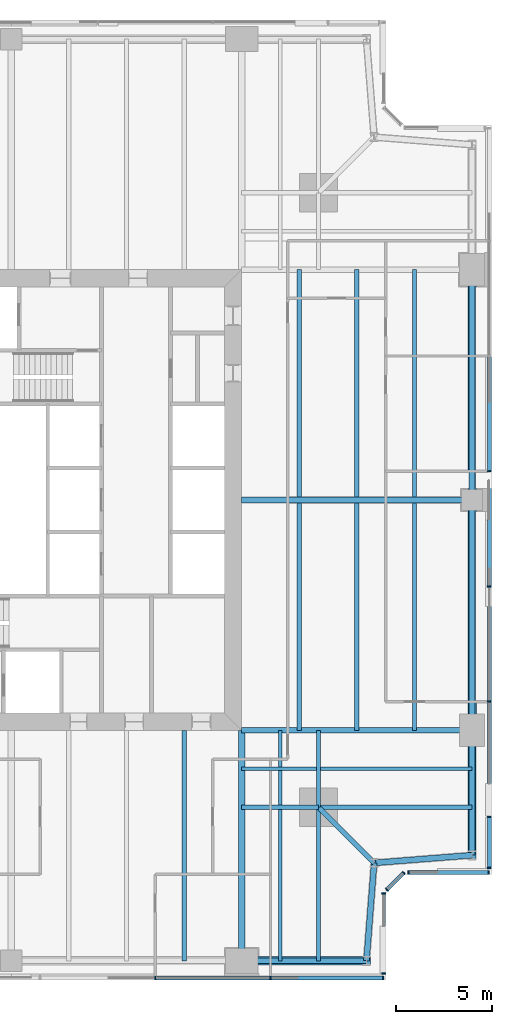
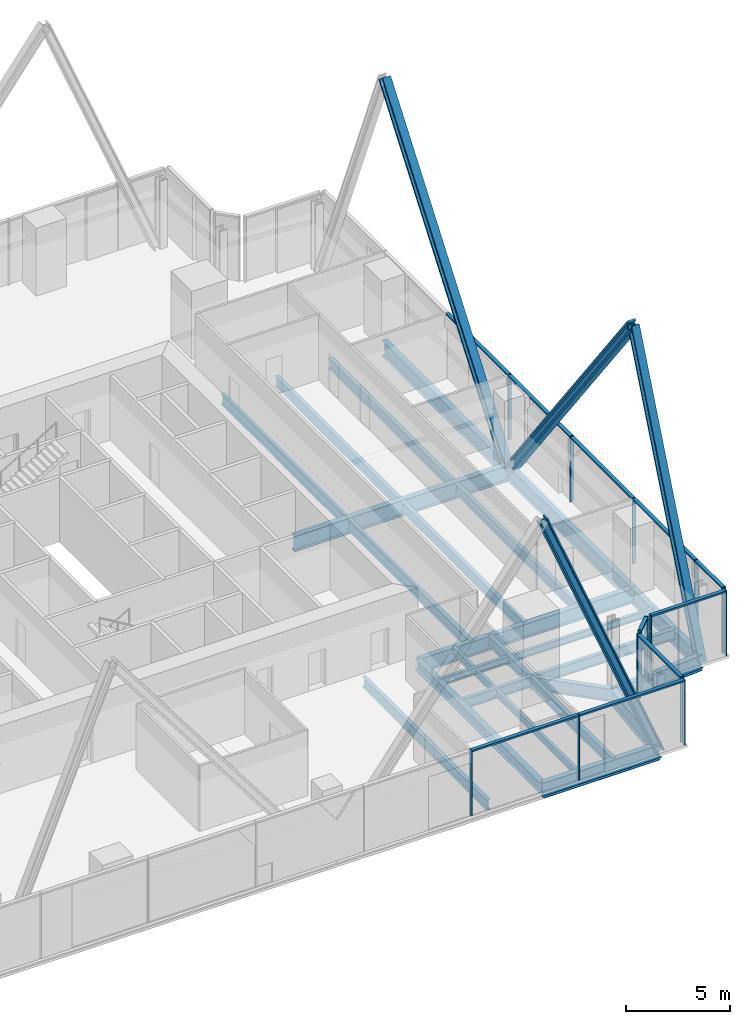
# One storey, part 5 of 14: 28 members, 26 beams, 5 elements without a shape of their own.
"""IFC4 building model written with IfcOpenShell, lengths in metres."""

from ifc_helpers import new_model, si_unit, direction, frame, origin, origin_2d, place, context, subcontext, project, spatial, rectangle, i_section, extrude, material, material_profile, profile_set, type_object, element, aggregate, save


model = new_model("IFC4")

# Units and contexts
model_context = context("Model", 3, precision=1e-05, world=origin(), true_north=direction((0.0, 1.0)))
body_context = subcontext(model_context, "Body", "Model", "MODEL_VIEW")
ifc_project = project(units=[si_unit("LENGTHUNIT", "METRE"), si_unit("AREAUNIT", "SQUARE_METRE"), si_unit("VOLUMEUNIT", "CUBIC_METRE"), si_unit("PLANEANGLEUNIT", "RADIAN"), si_unit("MASSUNIT", "GRAM", prefix="KILO")], contexts=[model_context])

# Site, building, storey
site_placement = place(None, origin())
site = spatial("IfcSite", under=ifc_project, at=site_placement, CompositionType="ELEMENT")
building_placement = place(site_placement, origin())
building = spatial("IfcBuilding", under=site, at=building_placement, Name="Fenwick Lantern Interchange", CompositionType="ELEMENT")
storey_placement = place(building_placement, frame((0.0, 0.0, 217.800048828125)))
storey = spatial("IfcBuildingStorey", under=building, at=storey_placement, Name="L51", CompositionType="ELEMENT", Elevation=217.800048828125)

# Beams
ifc_material_1 = material(Name="Steel ASTM A992 Grade 50", Category="steel")
ifc_material_profile_1 = material_profile(ifc_material_1, i_section(OverallWidth=0.3046875, OverallDepth=0.911865234375, WebThickness=0.015869140625, FlangeThickness=0.02392578125, at=origin_2d()), Name="W36X150")
ifc_profile_set_1 = profile_set([ifc_material_profile_1], Name="Steel ASTM A992 Grade 50")
beam_type_1 = type_object("IfcBeamType", Name="EDGE BEAM W36X150", PredefinedType="SPANDREL", material=ifc_profile_set_1)
beam_1_placement = place(storey_placement, frame((37.0, 1.0, -0.60595703125), z_axis=(1.0, 0.0, 0.0), x_axis=(0.0, 1.0, 0.0)))
element("IfcBeam", 1, at=beam_1_placement, inside=storey, type_object=beam_type_1, Name="L51/FR/S/EB4", PredefinedType="SPANDREL", context=body_context, shape_type="SweptSolid", body=[
    extrude(i_section(OverallWidth=0.3046875, OverallDepth=0.911865234375, WebThickness=0.015869140625, FlangeThickness=0.02392578125, at=origin_2d()), origin(), (0.0, 0.0, 1.0), 6.5),
])
for number, where, z_axis, x_axis, name in (
    (2, (43.5, 1.0, -0.60595703125), (0.078170784639, 0.99693998236, 0.0), (-0.99693998236, 0.078170784639, 0.0), "L51/FR/S/EBR1"),
    (3, (43.89990234375, 6.10009765625, -0.60595703125), (0.99693998236, 0.078170784639, 0.0), (-0.078170784639, 0.99693998236, 0.0), "L51/FR/S/EBR2"),
):
    element("IfcBeam", number, at=place(storey_placement, frame(where, z_axis=z_axis, x_axis=x_axis)), inside=storey, type_object=beam_type_1, Name=name, PredefinedType="SPANDREL", context=body_context, shape_type="SweptSolid", body=[
        extrude(i_section(OverallWidth=0.3046875, OverallDepth=0.911865234375, WebThickness=0.015869140625, FlangeThickness=0.02392578125, at=origin_2d()), origin(), (0.0, 0.0, 1.0), 5.11572265625),
    ])
beam_2_placement = place(storey_placement, frame((49.0, 6.5, -0.60595703125), z_axis=(0.0, 1.0, 0.0), x_axis=(-1.0, 0.0, 0.0)))
element("IfcBeam", 4, at=beam_2_placement, inside=storey, type_object=beam_type_1, Name="L51/FR/E/EB1", PredefinedType="SPANDREL", context=body_context, shape_type="SweptSolid", body=[
    extrude(i_section(OverallWidth=0.3046875, OverallDepth=0.911865234375, WebThickness=0.015869140625, FlangeThickness=0.02392578125, at=origin_2d()), origin(), (0.0, 0.0, 1.0), 6.5),
])
for number, where, z_axis, x_axis, name in (
    (5, (49.0, 13.0, -0.60595703125), (0.0, 1.0, 0.0), (-1.0, 0.0, 0.0), "L51/FR/E/EB2"),
    (6, (49.0, 25.0, -0.60595703125), (0.0, 1.0, 0.0), (-1.0, 0.0, 0.0), "L51/FR/E/EB3"),
):
    element("IfcBeam", number, at=place(storey_placement, frame(where, z_axis=z_axis, x_axis=x_axis)), inside=storey, type_object=beam_type_1, Name=name, PredefinedType="SPANDREL", context=body_context, shape_type="SweptSolid", body=[
        extrude(i_section(OverallWidth=0.3046875, OverallDepth=0.911865234375, WebThickness=0.015869140625, FlangeThickness=0.02392578125, at=origin_2d()), origin(), (0.0, 0.0, 1.0), 12.0),
    ])

# Members
ifc_material_profile_2 = material_profile(ifc_material_1, i_section(OverallWidth=0.424072265625, OverallDepth=0.47509765625, WebThickness=0.0478515625, FlangeThickness=0.0771484375, at=origin_2d()), Name="W14X426")
ifc_profile_set_2 = profile_set([ifc_material_profile_2], Name="Steel ASTM A992 Grade 50")
member_type_1 = type_object("IfcMemberType", Name="FACADE BRACE W14X426", PredefinedType="BRACE", material=ifc_profile_set_2)
for number, where, z_axis, x_axis, name in (
    (7, (43.5, 1.0, -0.60595703125), (-0.378707062483, 0.0, 0.925516591329), (0.0, -1.0, 0.0), "L51/FB/S/BE"),
    (8, (49.0, 6.5, -0.60595703125), (0.0, 0.378707062483, 0.925516591329), (-1.0, 0.0, 0.0), "L51/FB/E/AE"),
):
    element("IfcMember", number, at=place(storey_placement, frame(where, z_axis=z_axis, x_axis=x_axis)), inside=storey, type_object=member_type_1, Name=name, PredefinedType="BRACE", context=body_context, shape_type="SweptSolid", body=[
        extrude(i_section(OverallWidth=0.424072265625, OverallDepth=0.47509765625, WebThickness=0.0478515625, FlangeThickness=0.0771484375, at=origin_2d()), origin(), (0.0, 0.0, 1.0), 17.16357421875),
    ])
ifc_material_profile_3 = material_profile(ifc_material_1, i_section(OverallWidth=0.44189453125, OverallDepth=0.53076171875, WebThickness=0.06591796875, FlangeThickness=0.105712890625, at=origin_2d()), Name="W14X605")
ifc_profile_set_3 = profile_set([ifc_material_profile_3], Name="Steel ASTM A992 Grade 50")
member_type_2 = type_object("IfcMemberType", Name="FACADE BRACE W14X605", PredefinedType="BRACE", material=ifc_profile_set_3)
for number, where, z_axis, x_axis, name in (
    (9, (49.0, 25.0, -0.60595703125), (0.0, -0.602763000162, 0.797920275238), (1.0, 0.0, 0.0), "L51/FB/E/A"),
    (10, (49.0, 25.0, -0.60595703125), (0.0, 0.602763000162, 0.797920275238), (-1.0, 0.0, 0.0), "L51/FB/E/B"),
):
    element("IfcMember", number, at=place(storey_placement, frame(where, z_axis=z_axis, x_axis=x_axis)), inside=storey, type_object=member_type_2, Name=name, PredefinedType="BRACE", context=body_context, shape_type="SweptSolid", body=[
        extrude(i_section(OverallWidth=0.44189453125, OverallDepth=0.53076171875, WebThickness=0.06591796875, FlangeThickness=0.105712890625, at=origin_2d()), origin(), (0.0, 0.0, 1.0), 19.908203125),
    ])

# Beams
ifc_material_profile_4 = material_profile(ifc_material_1, i_section(OverallWidth=0.22900390625, OverallDepth=0.612060546875, WebThickness=0.011962890625, FlangeThickness=0.01953125, at=origin_2d()), Name="W24X84")
ifc_profile_set_4 = profile_set([ifc_material_profile_4], Name="Steel ASTM A992 Grade 50")
beam_type_2 = type_object("IfcBeamType", Name="FLOOR BEAM W24X84", PredefinedType="BEAM", material=ifc_profile_set_4)
beam_3_placement = place(storey_placement, frame((34.0, 1.0, -0.4560546875), z_axis=(0.0, 1.0, 0.0), x_axis=(-1.0, 0.0, 0.0)))
element("IfcBeam", 11, at=beam_3_placement, inside=storey, type_object=beam_type_2, Name="L51/FR/S/R08", PredefinedType="BEAM", context=body_context, shape_type="SweptSolid", body=[
    extrude(i_section(OverallWidth=0.22900390625, OverallDepth=0.612060546875, WebThickness=0.011962890625, FlangeThickness=0.01953125, at=origin_2d()), origin(), (0.0, 0.0, 1.0), 12.0),
])
for number, where, z_axis, x_axis, name in (
    (12, (46.0, 13.0, -0.4560546875), (0.0, 1.0, 0.0), (-1.0, 0.0, 0.0), "L51/FR/E/B01"),
    (13, (43.0, 13.0, -0.4560546875), (0.0, 1.0, 0.0), (-1.0, 0.0, 0.0), "L51/FR/E/B02"),
    (14, (40.0, 13.0, -0.4560546875), (0.0, 1.0, 0.0), (-1.0, 0.0, 0.0), "L51/FR/E/B03"),
    (15, (46.0, 25.155029296875, -0.4560546875), (0.0, 1.0, 0.0), (-1.0, 0.0, 0.0), "L51/FR/E/B04"),
    (16, (43.0, 25.155029296875, -0.4560546875), (0.0, 1.0, 0.0), (-1.0, 0.0, 0.0), "L51/FR/E/B05"),
    (17, (40.0, 25.155029296875, -0.4560546875), (0.0, 1.0, 0.0), (-1.0, 0.0, 0.0), "L51/FR/E/B06"),
):
    element("IfcBeam", number, at=place(storey_placement, frame(where, z_axis=z_axis, x_axis=x_axis)), inside=storey, type_object=beam_type_2, Name=name, PredefinedType="BEAM", context=body_context, shape_type="SweptSolid", body=[
        extrude(i_section(OverallWidth=0.22900390625, OverallDepth=0.612060546875, WebThickness=0.011962890625, FlangeThickness=0.01953125, at=origin_2d()), origin(), (0.0, 0.0, 1.0), 11.844970703125),
    ])
ifc_material_profile_5 = material_profile(ifc_material_1, i_section(OverallWidth=0.177734375, OverallDepth=0.406494140625, WebThickness=0.0078125, FlangeThickness=0.012939453125, at=origin_2d()), Name="W16X40")
ifc_profile_set_5 = profile_set([ifc_material_profile_5], Name="Steel ASTM A992 Grade 50")
beam_type_3 = type_object("IfcBeamType", Name="INFILL BEAM W16X40", PredefinedType="JOIST", material=ifc_profile_set_5)
beam_4_placement = place(storey_placement, frame((49.0, 11.0, -0.353271484375), z_axis=(-1.0, 0.0, 0.0), x_axis=(0.0, -1.0, 0.0)))
element("IfcBeam", 18, at=beam_4_placement, inside=storey, type_object=beam_type_3, Name="L51/FR/E/J1", PredefinedType="JOIST", context=body_context, shape_type="SweptSolid", body=[
    extrude(i_section(OverallWidth=0.177734375, OverallDepth=0.406494140625, WebThickness=0.0078125, FlangeThickness=0.012939453125, at=origin_2d()), origin(), (0.0, 0.0, 1.0), 7.885498046875),
])
beam_5_placement = place(storey_placement, frame((40.885498046875, 11.0, -0.353271484375), z_axis=(-1.0, 0.0, 0.0), x_axis=(0.0, -1.0, 0.0)))
element("IfcBeam", 19, at=beam_5_placement, inside=storey, type_object=beam_type_3, Name="L51/FR/E/J2", PredefinedType="JOIST", context=body_context, shape_type="SweptSolid", body=[
    extrude(i_section(OverallWidth=0.177734375, OverallDepth=0.406494140625, WebThickness=0.0078125, FlangeThickness=0.012939453125, at=origin_2d()), origin(), (0.0, 0.0, 1.0), 3.885498046875),
])
beam_6_placement = place(storey_placement, frame((39.0, 1.0, -0.353271484375), z_axis=(0.0, 1.0, 0.0), x_axis=(-1.0, 0.0, 0.0)))
element("IfcBeam", 20, at=beam_6_placement, inside=storey, type_object=beam_type_3, Name="L51/FR/E/J3", PredefinedType="JOIST", context=body_context, shape_type="SweptSolid", body=[
    extrude(i_section(OverallWidth=0.177734375, OverallDepth=0.406494140625, WebThickness=0.0078125, FlangeThickness=0.012939453125, at=origin_2d()), origin(), (0.0, 0.0, 1.0), 7.885498046875),
])
beam_7_placement = place(storey_placement, frame((39.0, 9.114501953125, -0.353271484375), z_axis=(0.0, 1.0, 0.0), x_axis=(-1.0, 0.0, 0.0)))
element("IfcBeam", 21, at=beam_7_placement, inside=storey, type_object=beam_type_3, Name="L51/FR/E/J4", PredefinedType="JOIST", context=body_context, shape_type="SweptSolid", body=[
    extrude(i_section(OverallWidth=0.177734375, OverallDepth=0.406494140625, WebThickness=0.0078125, FlangeThickness=0.012939453125, at=origin_2d()), origin(), (0.0, 0.0, 1.0), 1.796630859375),
])
beam_8_placement = place(storey_placement, frame((39.0, 11.0888671875, -0.353271484375), z_axis=(0.0, 1.0, 0.0), x_axis=(-1.0, 0.0, 0.0)))
element("IfcBeam", 22, at=beam_8_placement, inside=storey, type_object=beam_type_3, Name="L51/FR/E/J5", PredefinedType="JOIST", context=body_context, shape_type="SweptSolid", body=[
    extrude(i_section(OverallWidth=0.177734375, OverallDepth=0.406494140625, WebThickness=0.0078125, FlangeThickness=0.012939453125, at=origin_2d()), origin(), (0.0, 0.0, 1.0), 1.9111328125),
])
ifc_material_profile_6 = material_profile(ifc_material_1, i_section(OverallWidth=0.22900390625, OverallDepth=0.612060546875, WebThickness=0.011962890625, FlangeThickness=0.01953125, at=origin_2d()), Name="W24X84")
ifc_profile_set_6 = profile_set([ifc_material_profile_6], Name="Steel ASTM A992 Grade 50")
beam_type_4 = type_object("IfcBeamType", Name="MEGA COLUMN BEAM W24X84", PredefinedType="BEAM", material=ifc_profile_set_6)
for number, where, z_axis, x_axis, name in (
    (23, (41.0, 9.0, -0.4560546875), (1.0, 0.0, 0.0), (0.0, 1.0, 0.0), "L51/FR/E/MB1"),
    (24, (41.0, 9.0, -0.4560546875), (0.0, -1.0, 0.0), (1.0, 0.0, 0.0), "L51/FR/E/MB2"),
):
    element("IfcBeam", number, at=place(storey_placement, frame(where, z_axis=z_axis, x_axis=x_axis)), inside=storey, type_object=beam_type_4, Name=name, PredefinedType="BEAM", context=body_context, shape_type="SweptSolid", body=[
        extrude(i_section(OverallWidth=0.22900390625, OverallDepth=0.612060546875, WebThickness=0.011962890625, FlangeThickness=0.01953125, at=origin_2d()), origin(), (0.0, 0.0, 1.0), 8.0),
    ])
for number, where, z_axis, x_axis, name in (
    (25, (41.0, 9.0, -0.4560546875), (0.0, 1.0, 0.0), (-1.0, 0.0, 0.0), "L51/FR/E/MB3"),
    (26, (41.0, 9.0, -0.4560546875), (-1.0, 0.0, 0.0), (0.0, -1.0, 0.0), "L51/FR/E/MB4"),
):
    element("IfcBeam", number, at=place(storey_placement, frame(where, z_axis=z_axis, x_axis=x_axis)), inside=storey, type_object=beam_type_4, Name=name, PredefinedType="BEAM", context=body_context, shape_type="SweptSolid", body=[
        extrude(i_section(OverallWidth=0.22900390625, OverallDepth=0.612060546875, WebThickness=0.011962890625, FlangeThickness=0.01953125, at=origin_2d()), origin(), (0.0, 0.0, 1.0), 4.0),
    ])
ifc_material_profile_7 = material_profile(ifc_material_1, i_section(OverallWidth=0.32763671875, OverallDepth=0.622314453125, WebThickness=0.015380859375, FlangeThickness=0.0244140625, at=origin_2d()), Name="W24X131")
ifc_profile_set_7 = profile_set([ifc_material_profile_7], Name="Steel ASTM A992 Grade 50")
beam_type_5 = type_object("IfcBeamType", Name="MOMENT-CONNECTED GIRDER W24X131", PredefinedType="BEAM", material=ifc_profile_set_7)
beam_9_placement = place(storey_placement, frame((37.0, 1.0, -0.461181640625), z_axis=(0.0, 1.0, 0.0), x_axis=(-1.0, 0.0, 0.0)))
element("IfcBeam", 27, at=beam_9_placement, inside=storey, type_object=beam_type_5, Name="L51/FR/S/R09", PredefinedType="BEAM", context=body_context, shape_type="SweptSolid", body=[
    extrude(i_section(OverallWidth=0.32763671875, OverallDepth=0.622314453125, WebThickness=0.015380859375, FlangeThickness=0.0244140625, at=origin_2d()), origin(), (0.0, 0.0, 1.0), 12.0),
])
ifc_material_profile_8 = material_profile(ifc_material_1, i_section(OverallWidth=0.2919921875, OverallDepth=0.845703125, WebThickness=0.015380859375, FlangeThickness=0.0244140625, at=origin_2d()), Name="W33X141")
ifc_profile_set_8 = profile_set([ifc_material_profile_8], Name="Steel ASTM A992 Grade 50")
beam_type_6 = type_object("IfcBeamType", Name="MOMENT-CONNECTED GIRDER W33X141", PredefinedType="BEAM", material=ifc_profile_set_8)
beam_10_placement = place(storey_placement, frame((49.0, 13.0, -0.572998046875), z_axis=(-1.0, 0.0, 0.0), x_axis=(0.0, -1.0, 0.0)))
element("IfcBeam", 28, at=beam_10_placement, inside=storey, type_object=beam_type_6, Name="L51/FR/E/R01", PredefinedType="BEAM", context=body_context, shape_type="SweptSolid", body=[
    extrude(i_section(OverallWidth=0.2919921875, OverallDepth=0.845703125, WebThickness=0.015380859375, FlangeThickness=0.0244140625, at=origin_2d()), origin(), (0.0, 0.0, 1.0), 12.0),
])
ifc_material_profile_9 = material_profile(ifc_material_1, i_section(OverallWidth=0.309814453125, OverallDepth=0.949951171875, WebThickness=0.0244140625, FlangeThickness=0.0439453125, at=origin_2d()), Name="W36X256")
ifc_profile_set_9 = profile_set([ifc_material_profile_9], Name="Steel ASTM A992 Grade 50")
beam_type_7 = type_object("IfcBeamType", Name="MOMENT-CONNECTED GIRDER W36X256", PredefinedType="BEAM", material=ifc_profile_set_9)
beam_11_placement = place(storey_placement, frame((49.0, 25.0, -0.625), z_axis=(-1.0, 0.0, 0.0), x_axis=(0.0, -1.0, 0.0)))
element("IfcBeam", 29, at=beam_11_placement, inside=storey, type_object=beam_type_7, Name="L51/FR/E/R02", PredefinedType="BEAM", context=body_context, shape_type="SweptSolid", body=[
    extrude(i_section(OverallWidth=0.309814453125, OverallDepth=0.949951171875, WebThickness=0.0244140625, FlangeThickness=0.0439453125, at=origin_2d()), origin(), (0.0, 0.0, 1.0), 12.0),
])
ifc_material_profile_10 = material_profile(ifc_material_1, i_section(OverallWidth=0.2666015625, OverallDepth=0.7568359375, WebThickness=0.013916015625, FlangeThickness=0.019287109375, at=origin_2d()), Name="W30X108")
ifc_profile_set_10 = profile_set([ifc_material_profile_10], Name="Steel ASTM A992 Grade 50")
beam_type_8 = type_object("IfcBeamType", Name="NOTCH BEAM W30X108", PredefinedType="BEAM", material=ifc_profile_set_10)
beam_12_placement = place(storey_placement, frame((41.0, 9.0, -0.528564453125), z_axis=(0.707106781187, -0.707106781187, 0.0), x_axis=(0.707106781187, 0.707106781187, 0.0)))
element("IfcBeam", 30, at=beam_12_placement, inside=storey, type_object=beam_type_8, Name="L51/FR/E/TG", PredefinedType="BEAM", context=body_context, shape_type="SweptSolid", body=[
    extrude(i_section(OverallWidth=0.2666015625, OverallDepth=0.7568359375, WebThickness=0.013916015625, FlangeThickness=0.019287109375, at=origin_2d()), origin(), (0.0, 0.0, 1.0), 4.10107421875),
])

# Curtain wall, members
ifc_material_2 = material(Name="Aluminium curtain wall frame", Category="aluminium")
curtain_wall_type = type_object("IfcCurtainWallType", Name="OFFICE CURTAIN WALL", PredefinedType="USERDEFINED", material=ifc_material_2)
curtain_wall_1_placement = place(storey_placement, origin())
curtain_wall_1 = element("IfcCurtainWall", 31, at=curtain_wall_1_placement, inside=storey, type_object=curtain_wall_type, Name="Office curtain wall 01", ObjectType="OFFICE CURTAIN WALL", PredefinedType="USERDEFINED")
ifc_material_3 = material(Name="Aluminium extrusion", Category="aluminium")
ifc_material_profile_11 = material_profile(ifc_material_3, rectangle(XDim=0.199951171875, YDim=0.06494140625, at=origin_2d()), Name="OFFICE CURTAIN WALL MULLION 65 X 200")
ifc_profile_set_11 = profile_set([ifc_material_profile_11], Name="Aluminium extrusion")
member_type_3 = type_object("IfcMemberType", Name="OFFICE CURTAIN WALL MULLION 65 X 200", PredefinedType="MULLION", material=ifc_profile_set_11)
member_1_placement = place(storey_placement, frame((32.5, 0.10009765625, 0.0), z_axis=(0.0, 0.0, 1.0), x_axis=(0.0, 1.0, 0.0)))
member_1 = element("IfcMember", 32, at=member_1_placement, type_object=member_type_3, Name="L51/CW/01/M05", PredefinedType="MULLION", context=body_context, shape_type="SweptSolid", body=[
    extrude(rectangle(XDim=0.199951171875, YDim=0.06494140625, at=origin_2d()), origin(), (0.0, 0.0, 1.0), 3.849853515625),
])
member_2_placement = place(storey_placement, frame((38.5, 0.10009765625, 0.0), z_axis=(0.0, 0.0, 1.0), x_axis=(0.0, 1.0, 0.0)))
member_2 = element("IfcMember", 33, at=member_2_placement, type_object=member_type_3, Name="L51/CW/01/M06", PredefinedType="MULLION", context=body_context, shape_type="SweptSolid", body=[
    extrude(rectangle(XDim=0.199951171875, YDim=0.06494140625, at=origin_2d()), origin(), (0.0, 0.0, 1.0), 3.849853515625),
])
member_3_placement = place(storey_placement, frame((44.367431640625, 0.10009765625, 0.0), z_axis=(0.0, 0.0, 1.0), x_axis=(0.0, 1.0, 0.0)))
member_3 = element("IfcMember", 34, at=member_3_placement, type_object=member_type_3, Name="L51/CW/01/M07", PredefinedType="MULLION", context=body_context, shape_type="SweptSolid", body=[
    extrude(rectangle(XDim=0.199951171875, YDim=0.06494140625, at=origin_2d()), origin(), (0.0, 0.0, 1.0), 3.849853515625),
])

curtain_wall_2_placement = place(storey_placement, origin())
curtain_wall_2 = element("IfcCurtainWall", 35, at=curtain_wall_2_placement, inside=storey, type_object=curtain_wall_type, Name="Office curtain wall 02", ObjectType="OFFICE CURTAIN WALL", PredefinedType="USERDEFINED")
member_4_placement = place(storey_placement, frame((44.39990234375, 0.33251953125, 0.0), z_axis=(0.0, 0.0, 1.0), x_axis=(-1.0, 0.0, 0.0)))
member_4 = element("IfcMember", 36, at=member_4_placement, type_object=member_type_3, Name="L51/CW/02/M00", PredefinedType="MULLION", context=body_context, shape_type="SweptSolid", body=[
    extrude(rectangle(XDim=0.199951171875, YDim=0.06494140625, at=origin_2d()), origin(), (0.0, 0.0, 1.0), 3.849853515625),
])
member_5_placement = place(storey_placement, frame((44.39990234375, 4.509033203125, 0.0), z_axis=(0.0, 0.0, 1.0), x_axis=(-1.0, 0.0, 0.0)))
member_5 = element("IfcMember", 37, at=member_5_placement, type_object=member_type_3, Name="L51/CW/02/M01", PredefinedType="MULLION", context=body_context, shape_type="SweptSolid", body=[
    extrude(rectangle(XDim=0.199951171875, YDim=0.06494140625, at=origin_2d()), origin(), (0.0, 0.0, 1.0), 3.849853515625),
])

curtain_wall_3_placement = place(storey_placement, origin())
curtain_wall_3 = element("IfcCurtainWall", 38, at=curtain_wall_3_placement, inside=storey, type_object=curtain_wall_type, Name="Office curtain wall 03", ObjectType="OFFICE CURTAIN WALL", PredefinedType="USERDEFINED")
member_6_placement = place(storey_placement, frame((44.564453125, 4.705810546875, 0.0), z_axis=(0.0, 0.0, 1.0), x_axis=(-0.707106781187, 0.707106781187, 0.0)))
member_6 = element("IfcMember", 39, at=member_6_placement, type_object=member_type_3, Name="L51/CW/03/M00", PredefinedType="MULLION", context=body_context, shape_type="SweptSolid", body=[
    extrude(rectangle(XDim=0.199951171875, YDim=0.06494140625, at=origin_2d()), origin(), (0.0, 0.0, 1.0), 3.849853515625),
])
member_7_placement = place(storey_placement, frame((45.435546875, 5.576904296875, 0.0), z_axis=(0.0, 0.0, 1.0), x_axis=(-0.707106781187, 0.707106781187, 0.0)))
member_7 = element("IfcMember", 40, at=member_7_placement, type_object=member_type_3, Name="L51/CW/03/M01", PredefinedType="MULLION", context=body_context, shape_type="SweptSolid", body=[
    extrude(rectangle(XDim=0.199951171875, YDim=0.06494140625, at=origin_2d()), origin(), (0.0, 0.0, 1.0), 3.849853515625),
])

curtain_wall_4_placement = place(storey_placement, origin())
curtain_wall_4 = element("IfcCurtainWall", 41, at=curtain_wall_4_placement, inside=storey, type_object=curtain_wall_type, Name="Office curtain wall 04", ObjectType="OFFICE CURTAIN WALL", PredefinedType="USERDEFINED")
member_8_placement = place(storey_placement, frame((45.691162109375, 5.60009765625, 0.0), z_axis=(0.0, 0.0, 1.0), x_axis=(0.0, 1.0, 0.0)))
member_8 = element("IfcMember", 42, at=member_8_placement, type_object=member_type_3, Name="L51/CW/04/M00", PredefinedType="MULLION", context=body_context, shape_type="SweptSolid", body=[
    extrude(rectangle(XDim=0.199951171875, YDim=0.06494140625, at=origin_2d()), origin(), (0.0, 0.0, 1.0), 3.849853515625),
])
member_9_placement = place(storey_placement, frame((49.867431640625, 5.60009765625, 0.0), z_axis=(0.0, 0.0, 1.0), x_axis=(0.0, 1.0, 0.0)))
member_9 = element("IfcMember", 43, at=member_9_placement, type_object=member_type_3, Name="L51/CW/04/M01", PredefinedType="MULLION", context=body_context, shape_type="SweptSolid", body=[
    extrude(rectangle(XDim=0.199951171875, YDim=0.06494140625, at=origin_2d()), origin(), (0.0, 0.0, 1.0), 3.849853515625),
])

curtain_wall_5_placement = place(storey_placement, origin())
curtain_wall_5 = element("IfcCurtainWall", 44, at=curtain_wall_5_placement, inside=storey, type_object=curtain_wall_type, Name="Office curtain wall 05", ObjectType="OFFICE CURTAIN WALL", PredefinedType="USERDEFINED")
member_10_placement = place(storey_placement, frame((49.89990234375, 5.83251953125, 0.0), z_axis=(0.0, 0.0, 1.0), x_axis=(-1.0, 0.0, 0.0)))
member_10 = element("IfcMember", 45, at=member_10_placement, type_object=member_type_3, Name="L51/CW/05/M00", PredefinedType="MULLION", context=body_context, shape_type="SweptSolid", body=[
    extrude(rectangle(XDim=0.199951171875, YDim=0.06494140625, at=origin_2d()), origin(), (0.0, 0.0, 1.0), 3.849853515625),
])
member_11_placement = place(storey_placement, frame((49.89990234375, 8.5, 0.0), z_axis=(0.0, 0.0, 1.0), x_axis=(-1.0, 0.0, 0.0)))
member_11 = element("IfcMember", 46, at=member_11_placement, type_object=member_type_3, Name="L51/CW/05/M01", PredefinedType="MULLION", context=body_context, shape_type="SweptSolid", body=[
    extrude(rectangle(XDim=0.199951171875, YDim=0.06494140625, at=origin_2d()), origin(), (0.0, 0.0, 1.0), 3.849853515625),
])
member_12_placement = place(storey_placement, frame((49.89990234375, 14.5, 0.0), z_axis=(0.0, 0.0, 1.0), x_axis=(-1.0, 0.0, 0.0)))
member_12 = element("IfcMember", 47, at=member_12_placement, type_object=member_type_3, Name="L51/CW/05/M02", PredefinedType="MULLION", context=body_context, shape_type="SweptSolid", body=[
    extrude(rectangle(XDim=0.199951171875, YDim=0.06494140625, at=origin_2d()), origin(), (0.0, 0.0, 1.0), 3.849853515625),
])
member_13_placement = place(storey_placement, frame((49.89990234375, 20.5, 0.0), z_axis=(0.0, 0.0, 1.0), x_axis=(-1.0, 0.0, 0.0)))
member_13 = element("IfcMember", 48, at=member_13_placement, type_object=member_type_3, Name="L51/CW/05/M03", PredefinedType="MULLION", context=body_context, shape_type="SweptSolid", body=[
    extrude(rectangle(XDim=0.199951171875, YDim=0.06494140625, at=origin_2d()), origin(), (0.0, 0.0, 1.0), 3.849853515625),
])
member_14_placement = place(storey_placement, frame((49.89990234375, 26.5, 0.0), z_axis=(0.0, 0.0, 1.0), x_axis=(-1.0, 0.0, 0.0)))
member_14 = element("IfcMember", 49, at=member_14_placement, type_object=member_type_3, Name="L51/CW/05/M04", PredefinedType="MULLION", context=body_context, shape_type="SweptSolid", body=[
    extrude(rectangle(XDim=0.199951171875, YDim=0.06494140625, at=origin_2d()), origin(), (0.0, 0.0, 1.0), 3.849853515625),
])

# Member
ifc_material_profile_12 = material_profile(ifc_material_3, rectangle(XDim=0.199951171875, YDim=0.10009765625, at=origin_2d()), Name="OFFICE CURTAIN WALL TRANSOM 100 X 200")
ifc_profile_set_12 = profile_set([ifc_material_profile_12], Name="Aluminium extrusion")
member_type_4 = type_object("IfcMemberType", Name="OFFICE CURTAIN WALL TRANSOM 100 X 200", PredefinedType="MULLION", material=ifc_profile_set_12)
member_15_placement = place(storey_placement, frame((32.532470703125, 0.10009765625, 3.800048828125), z_axis=(1.0, 0.0, 0.0), x_axis=(0.0, 1.0, 0.0)))
member_15 = element("IfcMember", 50, at=member_15_placement, type_object=member_type_4, Name="L51/CW/01/T05", PredefinedType="MULLION", context=body_context, shape_type="SweptSolid", body=[
    extrude(rectangle(XDim=0.199951171875, YDim=0.10009765625, at=origin_2d()), origin(), (0.0, 0.0, 1.0), 5.93505859375),
])

member_16_placement = place(storey_placement, frame((38.532470703125, 0.10009765625, 3.800048828125), z_axis=(1.0, 0.0, 0.0), x_axis=(0.0, 1.0, 0.0)))
member_16 = element("IfcMember", 51, at=member_16_placement, type_object=member_type_4, Name="L51/CW/01/T06", PredefinedType="MULLION", context=body_context, shape_type="SweptSolid", body=[
    extrude(rectangle(XDim=0.199951171875, YDim=0.10009765625, at=origin_2d()), origin(), (0.0, 0.0, 1.0), 5.802490234375),
])

aggregate(curtain_wall_1, [member_1, member_2, member_3, member_15, member_16])

member_17_placement = place(storey_placement, frame((44.39990234375, 0.364990234375, 3.800048828125), z_axis=(0.0, 1.0, 0.0), x_axis=(-1.0, 0.0, 0.0)))
member_17 = element("IfcMember", 52, at=member_17_placement, type_object=member_type_4, Name="L51/CW/02/T00", PredefinedType="MULLION", context=body_context, shape_type="SweptSolid", body=[
    extrude(rectangle(XDim=0.199951171875, YDim=0.10009765625, at=origin_2d()), origin(), (0.0, 0.0, 1.0), 4.111328125),
])

aggregate(curtain_wall_2, [member_4, member_5, member_17])

member_18_placement = place(storey_placement, frame((44.58740234375, 4.728759765625, 3.800048828125), z_axis=(0.707106781187, 0.707106781187, 0.0), x_axis=(-0.707106781187, 0.707106781187, 0.0)))
member_18 = element("IfcMember", 53, at=member_18_placement, type_object=member_type_4, Name="L51/CW/03/T00", PredefinedType="MULLION", context=body_context, shape_type="SweptSolid", body=[
    extrude(rectangle(XDim=0.199951171875, YDim=0.10009765625, at=origin_2d()), origin(), (0.0, 0.0, 1.0), 1.1669921875),
])

aggregate(curtain_wall_3, [member_6, member_7, member_18])

member_19_placement = place(storey_placement, frame((45.7236328125, 5.60009765625, 3.800048828125), z_axis=(1.0, 0.0, 0.0), x_axis=(0.0, 1.0, 0.0)))
member_19 = element("IfcMember", 54, at=member_19_placement, type_object=member_type_4, Name="L51/CW/04/T00", PredefinedType="MULLION", context=body_context, shape_type="SweptSolid", body=[
    extrude(rectangle(XDim=0.199951171875, YDim=0.10009765625, at=origin_2d()), origin(), (0.0, 0.0, 1.0), 4.111328125),
])

aggregate(curtain_wall_4, [member_8, member_9, member_19])

member_20_placement = place(storey_placement, frame((49.89990234375, 5.864990234375, 3.800048828125), z_axis=(0.0, 1.0, 0.0), x_axis=(-1.0, 0.0, 0.0)))
member_20 = element("IfcMember", 55, at=member_20_placement, type_object=member_type_4, Name="L51/CW/05/T00", PredefinedType="MULLION", context=body_context, shape_type="SweptSolid", body=[
    extrude(rectangle(XDim=0.199951171875, YDim=0.10009765625, at=origin_2d()), origin(), (0.0, 0.0, 1.0), 2.6025390625),
])

member_21_placement = place(storey_placement, frame((49.89990234375, 8.532470703125, 3.800048828125), z_axis=(0.0, 1.0, 0.0), x_axis=(-1.0, 0.0, 0.0)))
member_21 = element("IfcMember", 56, at=member_21_placement, type_object=member_type_4, Name="L51/CW/05/T01", PredefinedType="MULLION", context=body_context, shape_type="SweptSolid", body=[
    extrude(rectangle(XDim=0.199951171875, YDim=0.10009765625, at=origin_2d()), origin(), (0.0, 0.0, 1.0), 5.93505859375),
])

member_22_placement = place(storey_placement, frame((49.89990234375, 14.532470703125, 3.800048828125), z_axis=(0.0, 1.0, 0.0), x_axis=(-1.0, 0.0, 0.0)))
member_22 = element("IfcMember", 57, at=member_22_placement, type_object=member_type_4, Name="L51/CW/05/T02", PredefinedType="MULLION", context=body_context, shape_type="SweptSolid", body=[
    extrude(rectangle(XDim=0.199951171875, YDim=0.10009765625, at=origin_2d()), origin(), (0.0, 0.0, 1.0), 5.93505859375),
])

member_23_placement = place(storey_placement, frame((49.89990234375, 20.532470703125, 3.800048828125), z_axis=(0.0, 1.0, 0.0), x_axis=(-1.0, 0.0, 0.0)))
member_23 = element("IfcMember", 58, at=member_23_placement, type_object=member_type_4, Name="L51/CW/05/T03", PredefinedType="MULLION", context=body_context, shape_type="SweptSolid", body=[
    extrude(rectangle(XDim=0.199951171875, YDim=0.10009765625, at=origin_2d()), origin(), (0.0, 0.0, 1.0), 5.93505859375),
])

member_24_placement = place(storey_placement, frame((49.89990234375, 26.532470703125, 3.800048828125), z_axis=(0.0, 1.0, 0.0), x_axis=(-1.0, 0.0, 0.0)))
member_24 = element("IfcMember", 59, at=member_24_placement, type_object=member_type_4, Name="L51/CW/05/T04", PredefinedType="MULLION", context=body_context, shape_type="SweptSolid", body=[
    extrude(rectangle(XDim=0.199951171875, YDim=0.10009765625, at=origin_2d()), origin(), (0.0, 0.0, 1.0), 5.93505859375),
])

aggregate(curtain_wall_5, [member_10, member_11, member_12, member_13, member_14, member_20, member_21, member_22, member_23, member_24])

save(model, "model.ifc")
